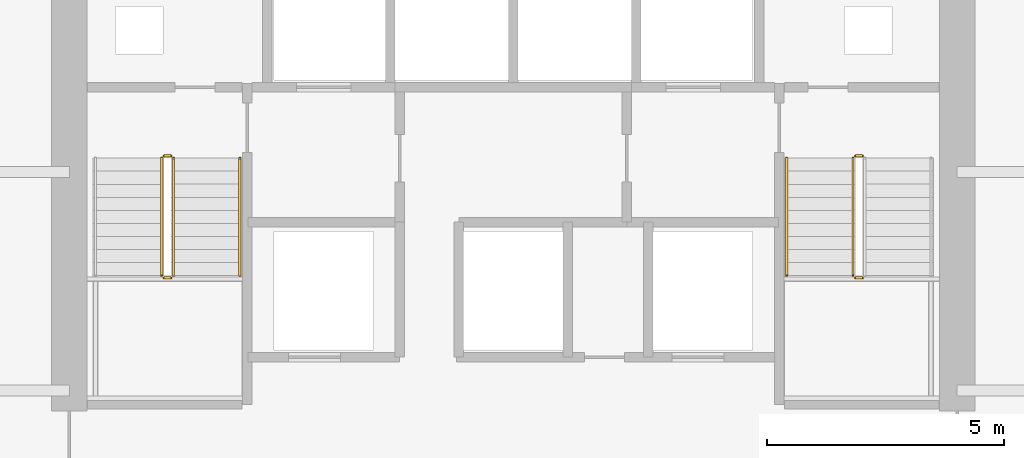
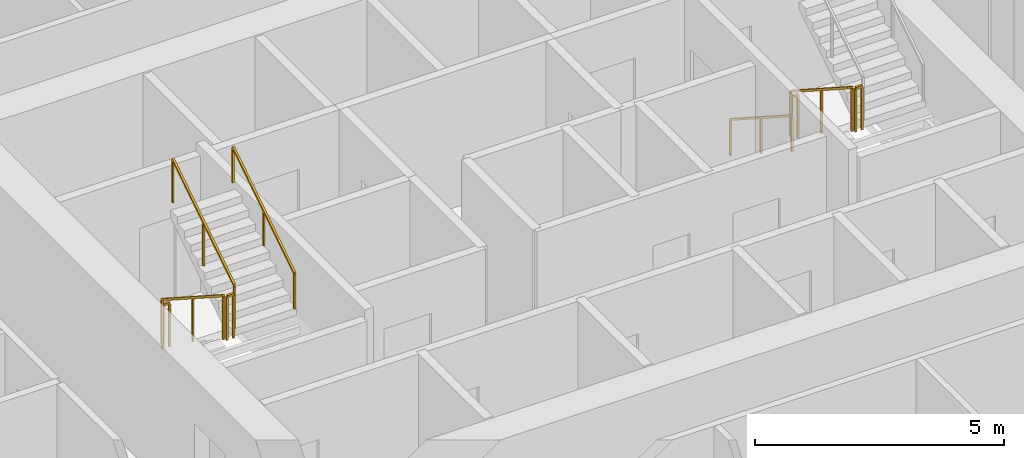
# One storey, part 11 of 12: 9 railings.
"""IFC4 building model written with IfcOpenShell, lengths in metres."""

from ifc_helpers import new_model, si_unit, direction, frame, origin, origin_2d, place, context, subcontext, project, spatial, rectangle, extrude, material, type_object, element, save


model = new_model("IFC4")

# Units and contexts
model_context = context("Model", 3, precision=1e-05, world=origin(), true_north=direction((0.0, 1.0)))
body_context = subcontext(model_context, "Body", "Model", "MODEL_VIEW")
ifc_project = project(units=[si_unit("LENGTHUNIT", "METRE"), si_unit("AREAUNIT", "SQUARE_METRE"), si_unit("VOLUMEUNIT", "CUBIC_METRE"), si_unit("PLANEANGLEUNIT", "RADIAN"), si_unit("MASSUNIT", "GRAM", prefix="KILO")], contexts=[model_context])

# Site, building, storey
site_placement = place(None, origin())
site = spatial("IfcSite", under=ifc_project, at=site_placement, CompositionType="ELEMENT")
building_placement = place(site_placement, origin())
building = spatial("IfcBuilding", under=site, at=building_placement, Name="Cinnabar Lancet Tower", CompositionType="ELEMENT")
storey_placement = place(building_placement, frame((0.0, 0.0, 141.0)))
storey = spatial("IfcBuildingStorey", under=building, at=storey_placement, Name="L37", CompositionType="ELEMENT", Elevation=141.0)

# Railings
ifc_material_1 = material(Name="Painted galvanized steel balustrade", Category="steel")
railing_type_1 = type_object("IfcRailingType", Name="GUARD-STAIR", PredefinedType="GUARDRAIL", material=ifc_material_1)
railing_1_placement = place(storey_placement, frame((24.97509765625, 28.39990234375, 0.177490234375)))
element("IfcRailing", 1, at=railing_1_placement, inside=storey, type_object=railing_type_1, Name="L37 ST-1 stair guard 1", PredefinedType="GUARDRAIL", context=body_context, shape_type="SweptSolid", body=[
    extrude(rectangle(XDim=0.048095703125, YDim=0.048095703125, at=origin_2d()), frame((0.0, 0.0, 1.076171875), z_axis=(0.0, -0.840183358697, 0.542302428327), x_axis=(1.0, 0.0, 0.0)), (0.0, 0.0, 1.0), 2.945556640625),
    extrude(rectangle(XDim=0.0419921875, YDim=0.0419921875, at=origin_2d()), origin(), (0.0, 0.0, 1.0), 1.052001953125),
    extrude(rectangle(XDim=0.0419921875, YDim=0.0419921875, at=origin_2d()), frame((0.0, -1.2373046875, 0.798828125)), (0.0, 0.0, 1.0), 1.052001953125),
    extrude(rectangle(XDim=0.0419921875, YDim=0.0419921875, at=origin_2d()), frame((0.0, -2.474853515625, 1.597412109375)), (0.0, 0.0, 1.0), 1.052001953125),
])
railing_2_placement = place(storey_placement, frame((25.02490234375, 25.875, 1.77490234375)))
element("IfcRailing", 2, at=railing_2_placement, inside=storey, type_object=railing_type_1, Name="L37 ST-1 stair guard 2", PredefinedType="GUARDRAIL", context=body_context, shape_type="SweptSolid", body=[
    extrude(rectangle(XDim=0.048095703125, YDim=0.048095703125, at=origin_2d()), frame((0.0, 0.0, 1.076171875), z_axis=(1.0, 0.0, 0.0), x_axis=(0.0, 1.0, 0.0)), (0.0, 0.0, 1.0), 0.150146484375),
    extrude(rectangle(XDim=0.0419921875, YDim=0.0419921875, at=origin_2d()), origin(), (0.0, 0.0, 1.0), 1.052001953125),
    extrude(rectangle(XDim=0.0419921875, YDim=0.0419921875, at=origin_2d()), frame((0.150146484375, 0.0, 0.0)), (0.0, 0.0, 1.0), 1.052001953125),
])
railing_3_placement = place(storey_placement, frame((25.22509765625, 25.925048828125, 1.952392578125)))
element("IfcRailing", 3, at=railing_3_placement, inside=storey, type_object=railing_type_1, Name="L37 ST-1 stair guard 3", PredefinedType="GUARDRAIL", context=body_context, shape_type="SweptSolid", body=[
    extrude(rectangle(XDim=0.048095703125, YDim=0.048095703125, at=origin_2d()), frame((0.0, 0.0, 1.076171875), z_axis=(0.0, 0.84014559416, 0.542360932049), x_axis=(-1.0, 0.0, 0.0)), (0.0, 0.0, 1.0), 2.94580078125),
    extrude(rectangle(XDim=0.0419921875, YDim=0.0419921875, at=origin_2d()), origin(), (0.0, 0.0, 1.0), 1.052001953125),
    extrude(rectangle(XDim=0.0419921875, YDim=0.0419921875, at=origin_2d()), frame((0.0, 1.2373046875, 0.798828125)), (0.0, 0.0, 1.0), 1.052001953125),
    extrude(rectangle(XDim=0.0419921875, YDim=0.0419921875, at=origin_2d()), frame((0.0, 2.474853515625, 1.59765625)), (0.0, 0.0, 1.0), 1.052001953125),
])
railing_4_placement = place(storey_placement, frame((25.02490234375, 28.449951171875, 0.0)))
element("IfcRailing", 4, at=railing_4_placement, inside=storey, type_object=railing_type_1, Name="L37 ST-1 stair guard 4", PredefinedType="GUARDRAIL", context=body_context, shape_type="SweptSolid", body=[
    extrude(rectangle(XDim=0.048095703125, YDim=0.048095703125, at=origin_2d()), frame((0.0, 0.0, 1.076171875), z_axis=(1.0, 0.0, 0.0), x_axis=(0.0, 1.0, 0.0)), (0.0, 0.0, 1.0), 0.150146484375),
    extrude(rectangle(XDim=0.0419921875, YDim=0.0419921875, at=origin_2d()), origin(), (0.0, 0.0, 1.0), 1.052001953125),
    extrude(rectangle(XDim=0.0419921875, YDim=0.0419921875, at=origin_2d()), frame((0.150146484375, 0.0, 0.0)), (0.0, 0.0, 1.0), 1.052001953125),
])
railing_5_placement = place(storey_placement, frame((39.574951171875, 28.39990234375, 0.177490234375)))
element("IfcRailing", 5, at=railing_5_placement, inside=storey, type_object=railing_type_1, Name="L37 ST-2 stair guard 1", PredefinedType="GUARDRAIL", context=body_context, shape_type="SweptSolid", body=[
    extrude(rectangle(XDim=0.048095703125, YDim=0.048095703125, at=origin_2d()), frame((0.0, 0.0, 1.076171875), z_axis=(0.0, -0.840183358697, 0.542302428327), x_axis=(1.0, 0.0, 0.0)), (0.0, 0.0, 1.0), 2.945556640625),
    extrude(rectangle(XDim=0.0419921875, YDim=0.0419921875, at=origin_2d()), origin(), (0.0, 0.0, 1.0), 1.052001953125),
    extrude(rectangle(XDim=0.0419921875, YDim=0.0419921875, at=origin_2d()), frame((0.0, -1.2373046875, 0.798828125)), (0.0, 0.0, 1.0), 1.052001953125),
    extrude(rectangle(XDim=0.0419921875, YDim=0.0419921875, at=origin_2d()), frame((0.0, -2.474853515625, 1.597412109375)), (0.0, 0.0, 1.0), 1.052001953125),
])
for number, where, name in (
    (6, (39.625, 25.875, 1.77490234375), "L37 ST-2 stair guard 2"),
    (7, (39.625, 28.449951171875, 0.0), "L37 ST-2 stair guard 4"),
):
    element("IfcRailing", number, at=place(storey_placement, frame(where)), inside=storey, type_object=railing_type_1, Name=name, PredefinedType="GUARDRAIL", context=body_context, shape_type="SweptSolid", body=[
        extrude(rectangle(XDim=0.048095703125, YDim=0.048095703125, at=origin_2d()), frame((0.0, 0.0, 1.076171875), z_axis=(1.0, 0.0, 0.0), x_axis=(0.0, 1.0, 0.0)), (0.0, 0.0, 1.0), 0.14990234375),
        extrude(rectangle(XDim=0.0419921875, YDim=0.0419921875, at=origin_2d()), origin(), (0.0, 0.0, 1.0), 1.052001953125),
        extrude(rectangle(XDim=0.0419921875, YDim=0.0419921875, at=origin_2d()), frame((0.14990234375, 0.0, 0.0)), (0.0, 0.0, 1.0), 1.052001953125),
    ])
ifc_material_2 = material(Name="Brushed stainless steel handrail", Category="steel")
railing_type_2 = type_object("IfcRailingType", Name="HANDRAIL-STAIR", PredefinedType="HANDRAIL", material=ifc_material_2)
railing_6_placement = place(storey_placement, frame((26.625, 25.925048828125, 1.952392578125)))
element("IfcRailing", 8, at=railing_6_placement, inside=storey, type_object=railing_type_2, Name="L37 ST-1 stair handrail 2", PredefinedType="HANDRAIL", context=body_context, shape_type="SweptSolid", body=[
    extrude(rectangle(XDim=0.048095703125, YDim=0.048095703125, at=origin_2d()), frame((0.0, 0.0, 0.8759765625), z_axis=(0.0, 0.84014559416, 0.542360932049), x_axis=(-1.0, 0.0, 0.0)), (0.0, 0.0, 1.0), 2.94580078125),
    extrude(rectangle(XDim=0.0419921875, YDim=0.0419921875, at=origin_2d()), origin(), (0.0, 0.0, 1.0), 0.851806640625),
    extrude(rectangle(XDim=0.0419921875, YDim=0.0419921875, at=origin_2d()), frame((0.0, 1.2373046875, 0.798828125)), (0.0, 0.0, 1.0), 0.851806640625),
    extrude(rectangle(XDim=0.0419921875, YDim=0.0419921875, at=origin_2d()), frame((0.0, 2.474853515625, 1.59765625)), (0.0, 0.0, 1.0), 0.851806640625),
])
railing_7_placement = place(storey_placement, frame((38.175048828125, 28.39990234375, 0.177490234375)))
element("IfcRailing", 9, at=railing_7_placement, inside=storey, type_object=railing_type_2, Name="L37 ST-2 stair handrail 1", PredefinedType="HANDRAIL", context=body_context, shape_type="SweptSolid", body=[
    extrude(rectangle(XDim=0.048095703125, YDim=0.048095703125, at=origin_2d()), frame((0.0, 0.0, 0.8759765625), z_axis=(0.0, -0.840183358697, 0.542302428327), x_axis=(1.0, 0.0, 0.0)), (0.0, 0.0, 1.0), 2.945556640625),
    extrude(rectangle(XDim=0.0419921875, YDim=0.0419921875, at=origin_2d()), origin(), (0.0, 0.0, 1.0), 0.851806640625),
    extrude(rectangle(XDim=0.0419921875, YDim=0.0419921875, at=origin_2d()), frame((0.0, -1.2373046875, 0.798828125)), (0.0, 0.0, 1.0), 0.851806640625),
    extrude(rectangle(XDim=0.0419921875, YDim=0.0419921875, at=origin_2d()), frame((0.0, -2.474853515625, 1.597412109375)), (0.0, 0.0, 1.0), 0.851806640625),
])

save(model, "model.ifc")
